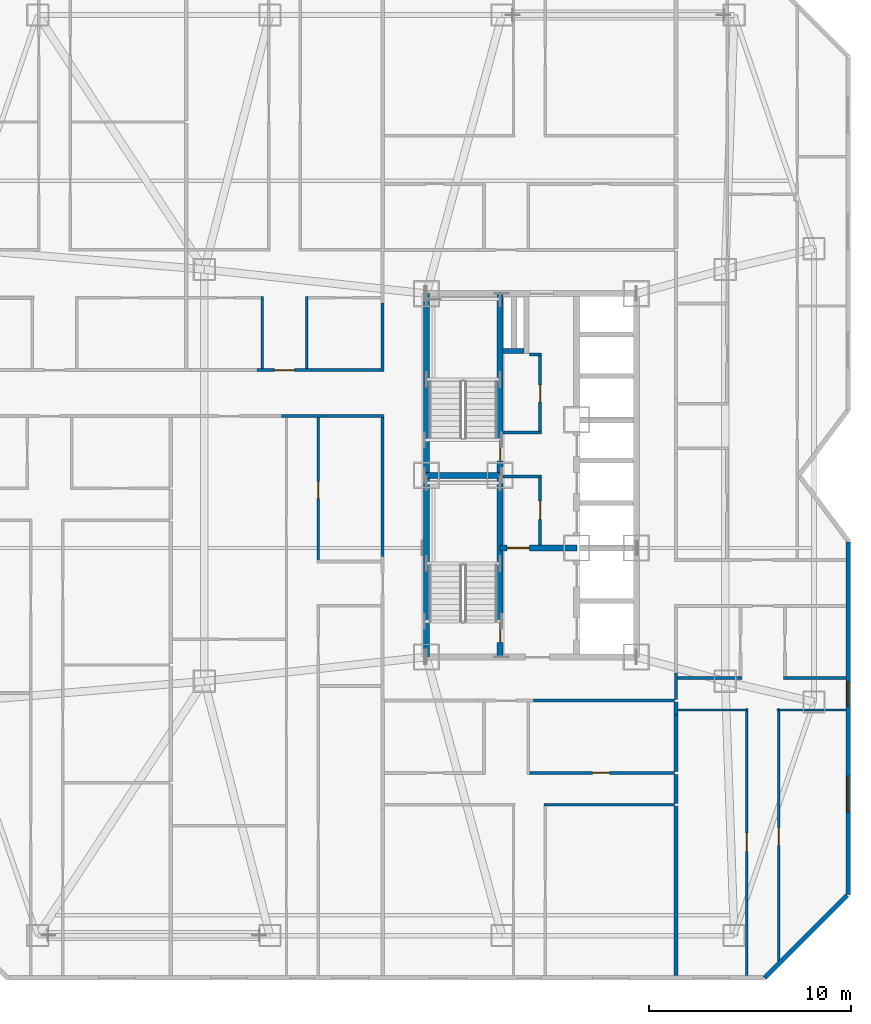
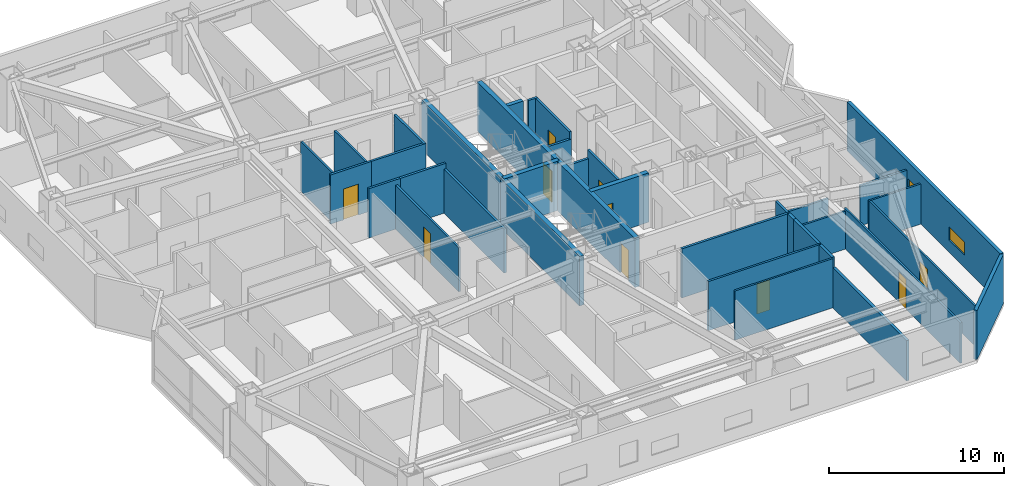
# One storey, part 13 of 18: 37 walls, 10 doors, 2 windows, 12 openings.
"""IFC4 building model written with IfcOpenShell, lengths in metres."""

import ifcopenshell
import ifcopenshell.guid

model = None  # the IFC model being written
_history = None  # IfcOwnerHistory: only IFC2X3 demands one
_inside = {}  # id of a spatial element -> (the spatial element, [elements in it])
_under = {}  # id of a project, library or spatial element -> (it, [spatial elements below it])
_declared = {}  # id of a project -> (the project, [libraries it declares])
_typed = {}  # id of a type object -> (the type object, [elements of that type])
_made_of = {}  # id of a material, layer set ... -> (it, [elements and type objects made of it])


def new_model(schema):
    """Start an empty IFC model of exactly this schema.

    Asked for "IFC4X3", IfcOpenShell would pick the latest addendum, in which some entities
    have other attributes; the version numbers below select the first issue.
    IFC2X3 requires an IfcOwnerHistory on every rooted entity: one is made here for all.
    """
    global model, _history
    if schema == "IFC4X3":
        model = ifcopenshell.file(schema_version=(4, 3, 0, 0))
    else:
        model = ifcopenshell.file(schema=schema)
    _inside.clear()
    _under.clear()
    _declared.clear()
    _typed.clear()
    _made_of.clear()
    _history = None
    if model.schema == "IFC2X3":
        org = make("IfcOrganization", Name="unknown")
        user = make(
            "IfcPersonAndOrganization",
            ThePerson=make("IfcPerson", FamilyName="unknown"),
            TheOrganization=org,
        )
        app = make(
            "IfcApplication",
            ApplicationDeveloper=org,
            Version="unknown",
            ApplicationFullName="unknown",
            ApplicationIdentifier="unknown",
        )
        _history = make(
            "IfcOwnerHistory",
            OwningUser=user,
            OwningApplication=app,
            ChangeAction="ADDED",
            CreationDate=0,
        )
    return model


def make(cls, **values):
    """One entity of the class cls with the attributes given. An attribute that is None is left unset."""
    return model.create_entity(
        cls, **{name: value for name, value in values.items() if value is not None}
    )


def rooted(cls, **values):
    """An entity with a GlobalId (a new one), such as an element, a storey or a relation."""
    return make(cls, GlobalId=ifcopenshell.guid.new(), OwnerHistory=_history, **values)


def si_unit(unit_type, name, prefix=None):
    """IfcSIUnit, for example si_unit("LENGTHUNIT", "METRE", prefix="MILLI")."""
    return make("IfcSIUnit", UnitType=unit_type, Prefix=prefix, Name=name)


def assignment(units):
    """IfcUnitAssignment: the units of a project."""
    return None if units is None else make("IfcUnitAssignment", Units=units)


def point(xyz):
    """IfcCartesianPoint."""
    return None if xyz is None else make("IfcCartesianPoint", Coordinates=xyz)


def direction(xyz):
    """IfcDirection."""
    return None if xyz is None else make("IfcDirection", DirectionRatios=xyz)


def frame(location, z_axis=None, x_axis=None):
    """IfcAxis2Placement3D, a coordinate frame: its origin and axes. An axis left out is left unset."""
    return make(
        "IfcAxis2Placement3D",
        Location=point(location),
        Axis=direction(z_axis),
        RefDirection=direction(x_axis),
    )


def frame_2d(location, x_axis=None):
    """IfcAxis2Placement2D, a coordinate frame in the plane: its origin and x axis."""
    return make(
        "IfcAxis2Placement2D", Location=point(location), RefDirection=direction(x_axis)
    )


def origin():
    """The frame at (0, 0, 0) with its axes left unset."""
    return frame((0.0, 0.0, 0.0))


def place(relative_to, where):
    """IfcLocalPlacement: puts the frame where relative to a parent placement (None: the world)."""
    return make(
        "IfcLocalPlacement", PlacementRelTo=relative_to, RelativePlacement=where
    )


def context(
    kind, dimensions, precision=None, world=None, true_north=None, identifier=None
):
    """IfcGeometricRepresentationContext, for example the 3D "Model" context."""
    return make(
        "IfcGeometricRepresentationContext",
        ContextIdentifier=identifier,
        ContextType=kind,
        CoordinateSpaceDimension=dimensions,
        Precision=precision,
        WorldCoordinateSystem=world,
        TrueNorth=true_north,
    )


def subcontext(parent, identifier, kind, view, scale=None):
    """IfcGeometricRepresentationSubContext, for example "Body" below "Model"."""
    return make(
        "IfcGeometricRepresentationSubContext",
        ContextIdentifier=identifier,
        ContextType=kind,
        ParentContext=parent,
        TargetScale=scale,
        TargetView=view,
    )


def project(units=None, contexts=None):
    """IfcProject with its units and contexts."""
    return rooted(
        "IfcProject",
        Name="project",
        RepresentationContexts=contexts,
        UnitsInContext=assignment(units),
    )


def spatial(cls, under=None, at=None, **own):
    """A site, building, storey or space (cls), placed at a placement, below another one or the project."""
    s = rooted(cls, ObjectPlacement=at, **own)
    if under is not None:
        _under.setdefault(under.id(), (under, []))[1].append(s)
    return s


def profile(cls, at=None, kind="AREA", **sizes):
    """A parametric profile (cls). Its sizes go by their IFC names, for example OverallWidth=200.0."""
    return make(cls, ProfileType=kind, Position=at, **sizes)


def rectangle(**sizes):
    """IfcRectangleProfileDef."""
    return profile("IfcRectangleProfileDef", **sizes)


def extrude(swept, where, along, depth):
    """IfcExtrudedAreaSolid: the profile swept, set in the frame where, extruded along a direction by depth."""
    return make(
        "IfcExtrudedAreaSolid",
        SweptArea=swept,
        Position=where,
        ExtrudedDirection=direction(along),
        Depth=depth,
    )


def shape(context_of_items, identifier, shape_type, items):
    """IfcShapeRepresentation: the items that make up one representation, for example the "Body"."""
    return make(
        "IfcShapeRepresentation",
        ContextOfItems=context_of_items,
        RepresentationIdentifier=identifier,
        RepresentationType=shape_type,
        Items=items,
    )


def material(Name=None, Category=None):
    """IfcMaterial."""
    return make("IfcMaterial", Name=Name, Category=Category)


def layer(
    of_material, thickness, ventilated=None, Name=None, Category=None, Priority=None
):
    """IfcMaterialLayer: one layer of a wall or slab, of a material (None: an air gap)."""
    return make(
        "IfcMaterialLayer",
        Material=of_material,
        LayerThickness=thickness,
        IsVentilated=ventilated,
        Name=Name,
        Category=Category,
        Priority=Priority,
    )


def layer_set(layers, Name=None):
    """IfcMaterialLayerSet."""
    return make("IfcMaterialLayerSet", MaterialLayers=layers, LayerSetName=Name)


def made_of(thing, what):
    """Note that an element or type object is made of a material, layer set ...; save() writes the relation."""
    if what is not None:
        _made_of.setdefault(what.id(), (what, []))[1].append(thing)
    return thing


def type_object(cls, material=None, **own):
    """A type object (cls), such as IfcWallType, which elements share."""
    return made_of(rooted(cls, **own), material)


def element(
    cls,
    number,
    at=None,
    inside=None,
    cuts=None,
    type_object=None,
    material=None,
    context=None,
    identifier="Body",
    shape_type=None,
    held_by="IfcProductDefinitionShape",
    body=None,
    shapes=None,
    **own,
):
    """One element of the class cls, such as IfcWall. Its Tag is "e" and its number.

    at: its placement. inside: the storey or other place that contains it. cuts: it is an
    opening in that element (IfcRelVoidsElement). A single representation is given by context,
    identifier, shape_type and body (its items); several are given by shapes. held_by: the class
    of the entity that holds the representations. save() writes the other relations.
    """
    e = rooted(cls, Tag="e%d" % number, ObjectPlacement=at, **own)
    if body is not None:
        shapes = [shape(context, identifier, shape_type, body)]
    if shapes is not None:
        e.Representation = make(held_by, Representations=shapes)
    if inside is not None:
        _inside.setdefault(inside.id(), (inside, []))[1].append(e)
    if cuts is not None:
        rooted(
            "IfcRelVoidsElement", RelatingBuildingElement=cuts, RelatedOpeningElement=e
        )
    if type_object is not None:
        _typed.setdefault(type_object.id(), (type_object, []))[1].append(e)
    return made_of(e, material)


def fill(opening, filler):
    """IfcRelFillsElement: the door or window that sits in an opening."""
    return rooted(
        "IfcRelFillsElement",
        RelatingOpeningElement=opening,
        RelatedBuildingElement=filler,
    )


def aggregate(whole, parts):
    """IfcRelAggregates: a whole, such as a stair, and the parts it consists of."""
    return rooted("IfcRelAggregates", RelatingObject=whole, RelatedObjects=parts)


def save(model, path):
    """Write the relations noted so far, then the file.

    IfcRelAggregates (storeys below a building ...), IfcRelContainedInSpatialStructure (elements
    in a storey), IfcRelDefinesByType, IfcRelAssociatesMaterial and IfcRelDeclares: one each for
    every whole, place, type object, material and project.
    """
    for whole, parts in _under.values():
        aggregate(whole, parts)
    for where, things in _inside.values():
        rooted(
            "IfcRelContainedInSpatialStructure",
            RelatedElements=things,
            RelatingStructure=where,
        )
    for kind, things in _typed.values():
        rooted("IfcRelDefinesByType", RelatedObjects=things, RelatingType=kind)
    for what, things in _made_of.values():
        rooted("IfcRelAssociatesMaterial", RelatedObjects=things, RelatingMaterial=what)
    for by, libraries in _declared.values():
        rooted("IfcRelDeclares", RelatingContext=by, RelatedDefinitions=libraries)
    model.write(path)


model = new_model("IFC4")

# Units and contexts
model_context = context("Model", 3, precision=1e-05, world=origin(), true_north=direction((0.0, 1.0)))
body_context = subcontext(model_context, "Body", "Model", "MODEL_VIEW")
ifc_project = project(units=[si_unit("LENGTHUNIT", "METRE"), si_unit("AREAUNIT", "SQUARE_METRE"), si_unit("VOLUMEUNIT", "CUBIC_METRE"), si_unit("PLANEANGLEUNIT", "RADIAN"), si_unit("MASSUNIT", "GRAM", prefix="KILO")], contexts=[model_context])

# Site, building, storey
site_placement = place(None, origin())
site = spatial("IfcSite", under=ifc_project, at=site_placement, CompositionType="ELEMENT")
building_placement = place(site_placement, origin())
building = spatial("IfcBuilding", under=site, at=building_placement, Name="Khamvora Tower", CompositionType="ELEMENT")
storey_placement = place(building_placement, frame((0.0, 0.0, 47.89990234375)))
storey = spatial("IfcBuildingStorey", under=building, at=storey_placement, Name="L11", CompositionType="ELEMENT", Elevation=47.89990234375)

# Walls
ifc_material_1 = material(Name="Concrete C50/60", Category="concrete")
ifc_layer_1 = layer(ifc_material_1, 0.300048828125)
ifc_layer_set_1 = layer_set([ifc_layer_1], Name="Concrete C50/60")
wall_type_1 = type_object("IfcWallType", Name="WAL-CORE-300", PredefinedType="SHEAR", material=ifc_layer_set_1)
for number, where, z_axis, x_axis, name in (
    (1, (29.0, 19.0, 0.0), (0.0, 0.0, 1.0), (0.0, 1.0, 0.0), "L11 central core west south wall"),
    (2, (29.0, 28.0, 0.0), (0.0, 0.0, 1.0), (0.0, 1.0, 0.0), "L11 central core west north wall"),
):
    element("IfcWall", number, at=place(storey_placement, frame(where, z_axis=z_axis, x_axis=x_axis)), inside=storey, type_object=wall_type_1, Name=name, PredefinedType="SHEAR", context=body_context, shape_type="SweptSolid", body=[
        extrude(rectangle(XDim=9.0, YDim=0.300048828125, at=frame_2d((4.5, 0.0))), origin(), (0.0, 0.0, 1.0), 3.43017578125),
    ])

# Wall, opening, door
wall_1_placement = place(storey_placement, frame((32.64990234375, 19.0, 0.0), z_axis=(0.0, 0.0, 1.0), x_axis=(0.0, 1.0, 0.0)))
wall_1 = element("IfcWall", 3, at=wall_1_placement, inside=storey, type_object=wall_type_1, Name="L11 central core stair south spine wall", PredefinedType="SHEAR", context=body_context, shape_type="SweptSolid", body=[
    extrude(rectangle(XDim=9.0, YDim=0.300048828125, at=frame_2d((4.5, 0.0))), origin(), (0.0, 0.0, 1.0), 3.43017578125),
])
opening_1_placement = place(wall_1_placement, frame((0.719970703125, 0.0, 0.0)))
opening_1 = element("IfcOpeningElement", 4, at=opening_1_placement, cuts=wall_1, Name="Opening D-ST1", PredefinedType="OPENING", context=body_context, shape_type="SweptSolid", body=[
    extrude(rectangle(XDim=1.0, YDim=2.14990234375, at=frame_2d((0.5, 1.074951171875))), frame((0.0, 0.159912109375, 0.0), z_axis=(0.0, -1.0, 0.0), x_axis=(1.0, 0.0, 0.0)), (0.0, 0.0, 1.0), 0.320068359375),
])
ifc_material_2 = material(Name="Powder-Coated Steel and Hardwood Leaf", Category="steel")
door_type_1 = type_object("IfcDoorType", Name="DOR-STAIR-1000", OperationType="NOTDEFINED", PredefinedType="DOOR", material=ifc_material_2)
door_1_placement = place(opening_1_placement, origin())
door_1 = element("IfcDoor", 5, at=door_1_placement, inside=storey, type_object=door_type_1, Name="L11 exit stair ST-01 fire door", OperationType="SINGLE_SWING_RIGHT", OverallHeight=2.14990234375, OverallWidth=1.0, PredefinedType="DOOR", context=body_context, shape_type="SweptSolid", body=[
    extrude(rectangle(XDim=1.0, YDim=2.14990234375, at=frame_2d((0.5, 1.074951171875))), frame((0.0, 0.02490234375, 0.0), z_axis=(0.0, -1.0, 0.0), x_axis=(1.0, 0.0, 0.0)), (0.0, 0.0, 1.0), 0.050048828125),
])
fill(opening_1, door_1)

wall_2_placement = place(storey_placement, frame((32.64990234375, 28.0, 0.0), z_axis=(0.0, 0.0, 1.0), x_axis=(0.0, 1.0, 0.0)))
wall_2 = element("IfcWall", 6, at=wall_2_placement, inside=storey, type_object=wall_type_1, Name="L11 central core stair north spine wall", PredefinedType="SHEAR", context=body_context, shape_type="SweptSolid", body=[
    extrude(rectangle(XDim=9.0, YDim=0.300048828125, at=frame_2d((4.5, 0.0))), origin(), (0.0, 0.0, 1.0), 3.43017578125),
])
opening_2_placement = place(wall_2_placement, frame((0.719970703125, 0.0, 0.0)))
opening_2 = element("IfcOpeningElement", 7, at=opening_2_placement, cuts=wall_2, Name="Opening D-ST1", PredefinedType="OPENING", context=body_context, shape_type="SweptSolid", body=[
    extrude(rectangle(XDim=1.0, YDim=2.14990234375, at=frame_2d((0.5, 1.074951171875))), frame((0.0, 0.159912109375, 0.0), z_axis=(0.0, -1.0, 0.0), x_axis=(1.0, 0.0, 0.0)), (0.0, 0.0, 1.0), 0.320068359375),
])
door_2_placement = place(opening_2_placement, origin())
door_2 = element("IfcDoor", 8, at=door_2_placement, inside=storey, type_object=door_type_1, Name="L11 exit stair ST-02 fire door", OperationType="SINGLE_SWING_RIGHT", OverallHeight=2.14990234375, OverallWidth=1.0, PredefinedType="DOOR", context=body_context, shape_type="SweptSolid", body=[
    extrude(rectangle(XDim=1.0, YDim=2.14990234375, at=frame_2d((0.5, 1.074951171875))), frame((0.0, 0.02490234375, 0.0), z_axis=(0.0, -1.0, 0.0), x_axis=(1.0, 0.0, 0.0)), (0.0, 0.0, 1.0), 0.050048828125),
])
fill(opening_2, door_2)

# Wall
wall_3_placement = place(storey_placement, frame((29.0, 28.0, 0.0), z_axis=(0.0, 0.0, 1.0), x_axis=(1.0, 0.0, 0.0)))
element("IfcWall", 9, at=wall_3_placement, inside=storey, type_object=wall_type_1, Name="L11 central core stair cross wall", PredefinedType="SHEAR", context=body_context, shape_type="SweptSolid", body=[
    extrude(rectangle(XDim=3.64990234375, YDim=0.300048828125, at=frame_2d((1.824951171875, 0.0))), origin(), (0.0, 0.0, 1.0), 3.43017578125),
])

# Wall, opening, door
wall_4_placement = place(storey_placement, frame((32.64990234375, 24.39990234375, 0.0), z_axis=(0.0, 0.0, 1.0), x_axis=(1.0, 0.0, 0.0)))
wall_4 = element("IfcWall", 10, at=wall_4_placement, inside=storey, type_object=wall_type_1, Name="L11 central core firefighting lobby north wall", PredefinedType="SHEAR", context=body_context, shape_type="SweptSolid", body=[
    extrude(rectangle(XDim=3.800048828125, YDim=0.300048828125, at=frame_2d((1.89990234375, 0.0))), origin(), (0.0, 0.0, 1.0), 3.43017578125),
])
opening_3_placement = place(wall_4_placement, frame((0.35009765625, 0.0, 0.0)))
opening_3 = element("IfcOpeningElement", 11, at=opening_3_placement, cuts=wall_4, Name="Opening D-FF1", PredefinedType="OPENING", context=body_context, shape_type="SweptSolid", body=[
    extrude(rectangle(XDim=1.10009765625, YDim=2.14990234375, at=frame_2d((0.550048828125, 1.074951171875))), frame((0.0, 0.159912109375, 0.0), z_axis=(0.0, -1.0, 0.0), x_axis=(1.0, 0.0, 0.0)), (0.0, 0.0, 1.0), 0.320068359375),
])
door_type_2 = type_object("IfcDoorType", Name="DOR-FFLOB-1100", OperationType="NOTDEFINED", PredefinedType="DOOR", material=ifc_material_2)
door_3_placement = place(opening_3_placement, origin())
door_3 = element("IfcDoor", 12, at=door_3_placement, inside=storey, type_object=door_type_2, Name="L11 firefighting lobby smoke-seal fire door", OperationType="SINGLE_SWING_LEFT", OverallHeight=2.14990234375, OverallWidth=1.10009765625, PredefinedType="DOOR", context=body_context, shape_type="SweptSolid", body=[
    extrude(rectangle(XDim=1.10009765625, YDim=2.14990234375, at=frame_2d((0.550048828125, 1.074951171875))), frame((0.0, 0.02490234375, 0.0), z_axis=(0.0, -1.0, 0.0), x_axis=(1.0, 0.0, 0.0)), (0.0, 0.0, 1.0), 0.050048828125),
])
fill(opening_3, door_3)

# Wall
ifc_material_3 = material(Name="Fire-Rated Drywall and Steel Stud", Category="steel")
ifc_layer_2 = layer(ifc_material_3, 0.14990234375)
ifc_layer_set_2 = layer_set([ifc_layer_2], Name="Fire-Rated Drywall and Steel Stud")
wall_type_2 = type_object("IfcWallType", Name="WAL-CORR-150", PredefinedType="STANDARD", material=ifc_layer_set_2)
wall_5_placement = place(storey_placement, frame((32.7939453125, 30.114990234375, 0.0), z_axis=(0.0, 0.0, 1.0), x_axis=(1.0, 0.0, 0.0)))
element("IfcWall", 13, at=wall_5_placement, inside=storey, type_object=wall_type_2, Name="L11 interior partition wall 001", PredefinedType="STANDARD", context=body_context, shape_type="SweptSolid", body=[
    extrude(rectangle(XDim=1.906005859375, YDim=0.14990234375, at=frame_2d((0.953125, 0.0))), origin(), (0.0, 0.0, 1.0), 2.88720703125),
])

# Wall, opening, door
wall_6_placement = place(storey_placement, frame((34.635009765625, 30.052001953125, 0.0), z_axis=(0.0, 0.0, 1.0), x_axis=(0.0, 1.0, 0.0)))
wall_6 = element("IfcWall", 14, at=wall_6_placement, inside=storey, type_object=wall_type_2, Name="L11 interior partition wall 002", PredefinedType="STANDARD", context=body_context, shape_type="SweptSolid", body=[
    extrude(rectangle(XDim=3.988037109375, YDim=0.14990234375, at=frame_2d((1.994140625, 0.0))), origin(), (0.0, 0.0, 1.0), 3.43017578125),
])
opening_4_placement = place(wall_6_placement, frame((1.569091796875, 0.0, 0.0)))
opening_4 = element("IfcOpeningElement", 15, at=opening_4_placement, cuts=wall_6, Name="Opening D-WC1", PredefinedType="OPENING", context=body_context, shape_type="SweptSolid", body=[
    extrude(rectangle(XDim=0.85009765625, YDim=2.10009765625, at=frame_2d((0.425048828125, 1.050048828125))), frame((0.0, 0.0849609375, 0.0), z_axis=(0.0, -1.0, 0.0), x_axis=(1.0, 0.0, 0.0)), (0.0, 0.0, 1.0), 0.169921875),
])
door_type_3 = type_object("IfcDoorType", Name="DOR-WET-850", OperationType="NOTDEFINED", PredefinedType="DOOR", material=ifc_material_2)
door_4_placement = place(opening_4_placement, origin())
door_4 = element("IfcDoor", 16, at=door_4_placement, inside=storey, type_object=door_type_3, Name="L11 interior door PLL-CS1", OperationType="SINGLE_SWING_RIGHT", OverallHeight=2.10009765625, OverallWidth=0.85009765625, PredefinedType="DOOR", context=body_context, shape_type="SweptSolid", body=[
    extrude(rectangle(XDim=0.85009765625, YDim=2.10009765625, at=frame_2d((0.425048828125, 1.050048828125))), frame((0.0, 0.02490234375, 0.0), z_axis=(0.0, -1.0, 0.0), x_axis=(1.0, 0.0, 0.0)), (0.0, 0.0, 1.0), 0.050048828125),
])
fill(opening_4, door_4)

# Wall
wall_7_placement = place(storey_placement, frame((34.699951171875, 33.97509765625, 0.0), z_axis=(0.0, 0.0, 1.0), x_axis=(-1.0, 0.0, 0.0)))
element("IfcWall", 17, at=wall_7_placement, inside=storey, type_object=wall_type_2, Name="L11 interior partition wall 003", PredefinedType="STANDARD", context=body_context, shape_type="SweptSolid", body=[
    extrude(rectangle(XDim=0.599853515625, YDim=0.14990234375, at=frame_2d((0.2998046875, 0.0))), origin(), (0.0, 0.0, 1.0), 3.43017578125),
])

# Wall, opening, door
wall_8_placement = place(storey_placement, frame((34.635009765625, 24.5439453125, 0.0), z_axis=(0.0, 0.0, 1.0), x_axis=(0.0, 1.0, 0.0)))
wall_8 = element("IfcWall", 18, at=wall_8_placement, inside=storey, type_object=wall_type_2, Name="L11 interior partition wall 004", PredefinedType="STANDARD", context=body_context, shape_type="SweptSolid", body=[
    extrude(rectangle(XDim=3.4560546875, YDim=0.14990234375, at=frame_2d((1.72802734375, 0.0))), origin(), (0.0, 0.0, 1.0), 3.43017578125),
])
opening_5_placement = place(wall_8_placement, frame((1.278076171875, 0.0, 0.0)))
opening_5 = element("IfcOpeningElement", 19, at=opening_5_placement, cuts=wall_8, Name="Opening D-RM1", PredefinedType="OPENING", context=body_context, shape_type="SweptSolid", body=[
    extrude(rectangle(XDim=0.89990234375, YDim=2.10009765625, at=frame_2d((0.449951171875, 1.050048828125))), frame((0.0, 0.0849609375, 0.0), z_axis=(0.0, -1.0, 0.0), x_axis=(1.0, 0.0, 0.0)), (0.0, 0.0, 1.0), 0.169921875),
])
door_type_4 = type_object("IfcDoorType", Name="DOR-ROOM-900", OperationType="NOTDEFINED", PredefinedType="DOOR", material=ifc_material_2)
door_5_placement = place(opening_5_placement, origin())
door_5 = element("IfcDoor", 20, at=door_5_placement, inside=storey, type_object=door_type_4, Name="L11 interior door PLL-CS2", OperationType="SINGLE_SWING_LEFT", OverallHeight=2.10009765625, OverallWidth=0.89990234375, PredefinedType="DOOR", context=body_context, shape_type="SweptSolid", body=[
    extrude(rectangle(XDim=0.89990234375, YDim=2.10009765625, at=frame_2d((0.449951171875, 1.050048828125))), frame((0.0, 0.02490234375, 0.0), z_axis=(0.0, -1.0, 0.0), x_axis=(1.0, 0.0, 0.0)), (0.0, 0.0, 1.0), 0.050048828125),
])
fill(opening_5, door_5)

# Walls
wall_9_placement = place(storey_placement, frame((34.699951171875, 27.93505859375, 0.0), z_axis=(0.0, 0.0, 1.0), x_axis=(-1.0, 0.0, 0.0)))
element("IfcWall", 21, at=wall_9_placement, inside=storey, type_object=wall_type_2, Name="L11 interior partition wall 005", PredefinedType="STANDARD", context=body_context, shape_type="SweptSolid", body=[
    extrude(rectangle(XDim=1.906005859375, YDim=0.14990234375, at=frame_2d((0.953125, 0.0))), origin(), (0.0, 0.0, 1.0), 2.88720703125),
])
wall_10_placement = place(storey_placement, frame((23.89990234375, 30.93505859375, 0.0), z_axis=(0.0, 0.0, 1.0), x_axis=(-1.0, 0.0, 0.0)))
element("IfcWall", 22, at=wall_10_placement, inside=storey, type_object=wall_type_2, Name="L11 interior partition wall 011", PredefinedType="STANDARD", context=body_context, shape_type="SweptSolid", body=[
    extrude(rectangle(XDim=2.078857421875, YDim=0.14990234375, at=frame_2d((1.03955078125, 0.0))), origin(), (0.0, 0.0, 1.0), 3.43017578125),
])
wall_11_placement = place(storey_placement, frame((26.8349609375, 23.98291015625, 0.0), z_axis=(0.0, 0.0, 1.0), x_axis=(0.0, 1.0, 0.0)))
element("IfcWall", 23, at=wall_11_placement, inside=storey, type_object=wall_type_2, Name="L11 interior partition wall 013", PredefinedType="STANDARD", context=body_context, shape_type="SweptSolid", body=[
    extrude(rectangle(XDim=7.01708984375, YDim=0.14990234375, at=frame_2d((3.508544921875, 0.0))), origin(), (0.0, 0.0, 1.0), 3.065185546875),
])
wall_12_placement = place(storey_placement, frame((26.89794921875, 30.93505859375, 0.0), z_axis=(0.0, 0.0, 1.0), x_axis=(-1.0, 0.0, 0.0)))
element("IfcWall", 24, at=wall_12_placement, inside=storey, type_object=wall_type_2, Name="L11 interior partition wall 014", PredefinedType="STANDARD", context=body_context, shape_type="SweptSolid", body=[
    extrude(rectangle(XDim=2.998046875, YDim=0.14990234375, at=frame_2d((1.4990234375, 0.0))), origin(), (0.0, 0.0, 1.0), 3.43017578125),
])

# Wall, opening, door
wall_13_placement = place(storey_placement, frame((20.62109375, 33.215087890625, 0.0), z_axis=(0.0, 0.0, 1.0), x_axis=(1.0, 0.0, 0.0)))
wall_13 = element("IfcWall", 25, at=wall_13_placement, inside=storey, type_object=wall_type_2, Name="L11 interior partition wall 020", PredefinedType="STANDARD", context=body_context, shape_type="SweptSolid", body=[
    extrude(rectangle(XDim=2.697998046875, YDim=0.14990234375, at=frame_2d((1.34912109375, 0.0))), origin(), (0.0, 0.0, 1.0), 3.43017578125),
])
opening_6_placement = place(wall_13_placement, frame((0.84912109375, 0.0, 0.0)))
opening_6 = element("IfcOpeningElement", 26, at=opening_6_placement, cuts=wall_13, Name="Opening D-U1", PredefinedType="OPENING", context=body_context, shape_type="SweptSolid", body=[
    extrude(rectangle(XDim=1.0, YDim=2.14990234375, at=frame_2d((0.5, 1.074951171875))), frame((0.0, 0.0849609375, 0.0), z_axis=(0.0, -1.0, 0.0), x_axis=(1.0, 0.0, 0.0)), (0.0, 0.0, 1.0), 0.169921875),
])
door_type_5 = type_object("IfcDoorType", Name="DOR-UNIT-1000", OperationType="NOTDEFINED", PredefinedType="DOOR", material=ifc_material_2)
door_6_placement = place(opening_6_placement, origin())
door_6 = element("IfcDoor", 27, at=door_6_placement, inside=storey, type_object=door_type_5, Name="L11 interior door COR-11WCH", OperationType="SINGLE_SWING_RIGHT", OverallHeight=2.14990234375, OverallWidth=1.0, PredefinedType="DOOR", context=body_context, shape_type="SweptSolid", body=[
    extrude(rectangle(XDim=1.0, YDim=2.14990234375, at=frame_2d((0.5, 1.074951171875))), frame((0.0, 0.02490234375, 0.0), z_axis=(0.0, -1.0, 0.0), x_axis=(1.0, 0.0, 0.0)), (0.0, 0.0, 1.0), 0.050048828125),
])
fill(opening_6, door_6)

# Walls
wall_14_placement = place(storey_placement, frame((26.8349609375, 33.14990234375, 0.0), z_axis=(0.0, 0.0, 1.0), x_axis=(0.0, 1.0, 0.0)))
element("IfcWall", 28, at=wall_14_placement, inside=storey, type_object=wall_type_2, Name="L11 interior partition wall 022", PredefinedType="STANDARD", context=body_context, shape_type="SweptSolid", body=[
    extrude(rectangle(XDim=3.39599609375, YDim=0.14990234375, at=frame_2d((1.697998046875, 0.0))), origin(), (0.0, 0.0, 1.0), 3.43017578125),
])
wall_15_placement = place(storey_placement, frame((23.319091796875, 33.215087890625, 0.0), z_axis=(0.0, 0.0, 1.0), x_axis=(1.0, 0.0, 0.0)))
element("IfcWall", 29, at=wall_15_placement, inside=storey, type_object=wall_type_2, Name="L11 interior partition wall 023", PredefinedType="STANDARD", context=body_context, shape_type="SweptSolid", body=[
    extrude(rectangle(XDim=3.578857421875, YDim=0.14990234375, at=frame_2d((1.78955078125, 0.0))), origin(), (0.0, 0.0, 1.0), 3.43017578125),
])
wall_16_placement = place(storey_placement, frame((41.300048828125, 16.8349609375, 0.0), z_axis=(0.0, 0.0, 1.0), x_axis=(-1.0, 0.0, 0.0)))
element("IfcWall", 30, at=wall_16_placement, inside=storey, type_object=wall_type_2, Name="L11 interior partition wall 026", PredefinedType="STANDARD", context=body_context, shape_type="SweptSolid", body=[
    extrude(rectangle(XDim=7.0009765625, YDim=0.14990234375, at=frame_2d((3.50048828125, 0.0))), origin(), (0.0, 0.0, 1.0), 3.43017578125),
])
wall_17_placement = place(storey_placement, frame((41.364990234375, 18.2041015625, 0.0), z_axis=(0.0, 0.0, 1.0), x_axis=(0.0, -1.0, 0.0)))
element("IfcWall", 31, at=wall_17_placement, inside=storey, type_object=wall_type_2, Name="L11 interior partition wall 031", PredefinedType="STANDARD", context=body_context, shape_type="SweptSolid", body=[
    extrude(rectangle(XDim=1.30419921875, YDim=0.14990234375, at=frame_2d((0.652099609375, 0.0))), origin(), (0.0, 0.0, 1.0), 3.43017578125),
])
ifc_material_4 = material(Name="Acoustic Double-Stud Fire Wall", Category="gypsum")
ifc_layer_3 = layer(ifc_material_4, 0.179931640625)
ifc_layer_set_3 = layer_set([ifc_layer_3], Name="Acoustic Double-Stud Fire Wall")
wall_type_3 = type_object("IfcWallType", Name="WAL-CORR-180", PredefinedType="STANDARD", material=ifc_layer_set_3)
wall_18_placement = place(storey_placement, frame((41.364990234375, 13.18994140625, 0.0), z_axis=(0.0, 0.0, 1.0), x_axis=(0.0, -1.0, 0.0)))
element("IfcWall", 32, at=wall_18_placement, inside=storey, type_object=wall_type_3, Name="L11 interior partition wall 112", PredefinedType="STANDARD", context=body_context, shape_type="SweptSolid", body=[
    extrude(rectangle(XDim=1.449951171875, YDim=0.179931640625, at=frame_2d((0.72509765625, 0.0))), origin(), (0.0, 0.0, 1.0), 3.43017578125),
])
wall_19_placement = place(storey_placement, frame((41.364990234375, 16.77001953125, 0.0), z_axis=(0.0, 0.0, 1.0), x_axis=(0.0, -1.0, 0.0)))
element("IfcWall", 33, at=wall_19_placement, inside=storey, type_object=wall_type_3, Name="L11 interior partition wall 113", PredefinedType="STANDARD", context=body_context, shape_type="SweptSolid", body=[
    extrude(rectangle(XDim=0.64404296875, YDim=0.179931640625, at=frame_2d((0.322021484375, 0.0))), origin(), (0.0, 0.0, 1.0), 3.43017578125),
])
wall_20_placement = place(storey_placement, frame((41.364990234375, 16.1259765625, 0.0), z_axis=(0.0, 0.0, 1.0), x_axis=(0.0, -1.0, 0.0)))
element("IfcWall", 34, at=wall_20_placement, inside=storey, type_object=wall_type_3, Name="L11 interior partition wall 114", PredefinedType="STANDARD", context=body_context, shape_type="SweptSolid", body=[
    extrude(rectangle(XDim=2.805908203125, YDim=0.179931640625, at=frame_2d((1.40283203125, 0.0))), origin(), (0.0, 0.0, 1.0), 3.43017578125),
])
wall_21_placement = place(storey_placement, frame((41.364990234375, 11.610107421875, 0.0), z_axis=(0.0, 0.0, 1.0), x_axis=(0.0, -1.0, 0.0)))
element("IfcWall", 35, at=wall_21_placement, inside=storey, type_object=wall_type_3, Name="L11 interior partition wall 115", PredefinedType="STANDARD", context=body_context, shape_type="SweptSolid", body=[
    extrude(rectangle(XDim=8.398193359375, YDim=0.179931640625, at=frame_2d((4.19921875, 0.0))), origin(), (0.0, 0.0, 1.0), 2.802978515625),
])

# Wall, openings, windows
ifc_material_5 = material(Name="Precast concrete C40/50", Category="concrete")
ifc_layer_4 = layer(ifc_material_5, 0.219970703125)
ifc_layer_set_4 = layer_set([ifc_layer_4], Name="Precast concrete C40/50")
wall_type_4 = type_object("IfcWallType", Name="WAL-EXT-220", PredefinedType="STANDARD", material=ifc_layer_set_4)
wall_22_placement = place(storey_placement, frame((49.889892578125, 24.70703125, 0.0), z_axis=(0.0, 0.0, 1.0), x_axis=(0.0, -1.0, 0.0)))
wall_22 = element("IfcWall", 36, at=wall_22_placement, inside=storey, type_object=wall_type_4, Name="L11 exterior facade wall 12.1", PredefinedType="STANDARD", context=body_context, shape_type="SweptSolid", body=[
    extrude(rectangle(XDim=17.4609375, YDim=0.219970703125, at=frame_2d((8.73046875, 0.0))), origin(), (0.0, 0.0, 1.0), 3.43017578125),
])
opening_7_placement = place(wall_22_placement, frame((6.94189453125, 0.0, 0.780029296875)))
opening_7 = element("IfcOpeningElement", 37, at=opening_7_placement, cuts=wall_22, Name="Opening WN-03", PredefinedType="OPENING", context=body_context, shape_type="SweptSolid", body=[
    extrude(rectangle(XDim=1.199951171875, YDim=1.5, at=frame_2d((0.60009765625, 0.75))), frame((0.0, 0.119873046875, 0.0), z_axis=(0.0, -1.0, 0.0), x_axis=(1.0, 0.0, 0.0)), (0.0, 0.0, 1.0), 0.239990234375),
])
opening_8_placement = place(wall_22_placement, frame((11.60400390625, 0.0, 0.85009765625)))
opening_8 = element("IfcOpeningElement", 38, at=opening_8_placement, cuts=wall_22, Name="Opening WN-09", PredefinedType="OPENING", context=body_context, shape_type="SweptSolid", body=[
    extrude(rectangle(XDim=1.800048828125, YDim=0.919921875, at=frame_2d((0.89990234375, 0.4599609375))), frame((0.0, 0.119873046875, 0.0), z_axis=(0.0, -1.0, 0.0), x_axis=(1.0, 0.0, 0.0)), (0.0, 0.0, 1.0), 0.239990234375),
])
ifc_material_6 = material(Name="Low-E Laminated Double Glazing", Category="glass")
window_type_1 = type_object("IfcWindowType", Name="WIN-CLR-1800x920", PartitioningType="SINGLE_PANEL", PredefinedType="WINDOW", material=ifc_material_6)
window_1_placement = place(opening_8_placement, origin())
window_1 = element("IfcWindow", 39, at=window_1_placement, inside=storey, type_object=window_type_1, Name="L11 vision window 12.1.02", OverallHeight=0.919921875, OverallWidth=1.800048828125, PartitioningType="SINGLE_PANEL", PredefinedType="WINDOW", context=body_context, shape_type="SweptSolid", body=[
    extrude(rectangle(XDim=1.800048828125, YDim=0.919921875, at=frame_2d((0.89990234375, 0.4599609375))), frame((0.0, 0.030029296875, 0.0), z_axis=(0.0, -1.0, 0.0), x_axis=(1.0, 0.0, 0.0)), (0.0, 0.0, 1.0), 0.06005859375),
])
fill(opening_8, window_1)
window_type_2 = type_object("IfcWindowType", Name="WIN-VIS-1200x1500", PartitioningType="SINGLE_PANEL", PredefinedType="WINDOW", material=ifc_material_6)
window_2_placement = place(opening_7_placement, origin())
window_2 = element("IfcWindow", 40, at=window_2_placement, inside=storey, type_object=window_type_2, Name="L11 vision window 12.1.01", OverallHeight=1.5, OverallWidth=1.199951171875, PartitioningType="SINGLE_PANEL", PredefinedType="WINDOW", context=body_context, shape_type="SweptSolid", body=[
    extrude(rectangle(XDim=1.199951171875, YDim=1.5, at=frame_2d((0.60009765625, 0.75))), frame((0.0, 0.030029296875, 0.0), z_axis=(0.0, -1.0, 0.0), x_axis=(1.0, 0.0, 0.0)), (0.0, 0.0, 1.0), 0.06005859375),
])
fill(opening_7, window_2)

# Walls
wall_23_placement = place(storey_placement, frame((49.840087890625, 7.196044921875, 0.0), z_axis=(0.0, 0.0, 1.0), x_axis=(-0.707127905562, -0.70708565618, 0.0)))
element("IfcWall", 41, at=wall_23_placement, inside=storey, type_object=wall_type_4, Name="L11 exterior facade wall 13.1", PredefinedType="STANDARD", context=body_context, shape_type="SweptSolid", body=[
    extrude(rectangle(XDim=5.778564453125, YDim=0.219970703125, at=frame_2d((2.88916015625, 0.0))), origin(), (0.0, 0.0, 1.0), 3.43017578125),
])
ifc_material_7 = material(Name="Gypsum Plasterboard Partition", Category="gypsum")
ifc_layer_5 = layer(ifc_material_7, 0.1201171875)
ifc_layer_set_5 = layer_set([ifc_layer_5], Name="Gypsum Plasterboard Partition")
wall_type_5 = type_object("IfcWallType", Name="WAL-PART-120", PredefinedType="PARTITIONING", material=ifc_layer_set_5)
wall_24_placement = place(storey_placement, frame((41.300048828125, 11.675048828125, 0.0), z_axis=(0.0, 0.0, 1.0), x_axis=(-1.0, 0.0, 0.0)))
element("IfcWall", 42, at=wall_24_placement, inside=storey, type_object=wall_type_5, Name="L11 interior partition wall 110", PredefinedType="PARTITIONING", context=body_context, shape_type="SweptSolid", body=[
    extrude(rectangle(XDim=6.47998046875, YDim=0.1201171875, at=frame_2d((3.239990234375, 0.0))), origin(), (0.0, 0.0, 1.0), 3.43017578125),
])

# Wall, opening, door
wall_25_placement = place(storey_placement, frame((44.875, 3.2119140625, 0.0), z_axis=(0.0, 0.0, 1.0), x_axis=(0.0, 1.0, 0.0)))
wall_25 = element("IfcWall", 43, at=wall_25_placement, inside=storey, type_object=wall_type_5, Name="L11 interior partition wall 131", PredefinedType="PARTITIONING", context=body_context, shape_type="SweptSolid", body=[
    extrude(rectangle(XDim=13.22802734375, YDim=0.1201171875, at=frame_2d((6.614013671875, 0.0))), origin(), (0.0, 0.0, 1.0), 2.802978515625),
])
opening_9_placement = place(wall_25_placement, frame((6.1640625, 0.0, 0.0)))
opening_9 = element("IfcOpeningElement", 44, at=opening_9_placement, cuts=wall_25, Name="Opening D-RM1", PredefinedType="OPENING", context=body_context, shape_type="SweptSolid", body=[
    extrude(rectangle(XDim=0.89990234375, YDim=2.10009765625, at=frame_2d((0.449951171875, 1.050048828125))), frame((0.0, 0.070068359375, 0.0), z_axis=(0.0, -1.0, 0.0), x_axis=(1.0, 0.0, 0.0)), (0.0, 0.0, 1.0), 0.14013671875),
])
door_7_placement = place(opening_9_placement, origin())
door_7 = element("IfcDoor", 45, at=door_7_placement, inside=storey, type_object=door_type_4, Name="L11 interior door 11EAH-11EAR1", OperationType="SINGLE_SWING_RIGHT", OverallHeight=2.10009765625, OverallWidth=0.89990234375, PredefinedType="DOOR", context=body_context, shape_type="SweptSolid", body=[
    extrude(rectangle(XDim=0.89990234375, YDim=2.10009765625, at=frame_2d((0.449951171875, 1.050048828125))), frame((0.0, 0.02490234375, 0.0), z_axis=(0.0, -1.0, 0.0), x_axis=(1.0, 0.0, 0.0)), (0.0, 0.0, 1.0), 0.050048828125),
])
fill(opening_9, door_7)

# Walls
wall_26_placement = place(storey_placement, frame((44.93994140625, 16.375, 0.0), z_axis=(0.0, 0.0, 1.0), x_axis=(-1.0, 0.0, 0.0)))
element("IfcWall", 46, at=wall_26_placement, inside=storey, type_object=wall_type_5, Name="L11 interior partition wall 132", PredefinedType="PARTITIONING", context=body_context, shape_type="SweptSolid", body=[
    extrude(rectangle(XDim=3.492919921875, YDim=0.1201171875, at=frame_2d((1.74658203125, 0.0))), origin(), (0.0, 0.0, 1.0), 2.647216796875),
])
wall_27_placement = place(storey_placement, frame((49.7880859375, 16.375, 0.0), z_axis=(0.0, 0.0, 1.0), x_axis=(-1.0, 0.0, 0.0)))
element("IfcWall", 47, at=wall_27_placement, inside=storey, type_object=wall_type_5, Name="L11 interior partition wall 133", PredefinedType="PARTITIONING", context=body_context, shape_type="SweptSolid", body=[
    extrude(rectangle(XDim=3.408203125, YDim=0.1201171875, at=frame_2d((1.7041015625, 0.0))), origin(), (0.0, 0.0, 1.0), 2.802978515625),
])

# Wall, opening, door
wall_28_placement = place(storey_placement, frame((46.445068359375, 16.43994140625, 0.0), z_axis=(0.0, 0.0, 1.0), x_axis=(0.0, -1.0, 0.0)))
wall_28 = element("IfcWall", 48, at=wall_28_placement, inside=storey, type_object=wall_type_5, Name="L11 interior partition wall 134", PredefinedType="PARTITIONING", context=body_context, shape_type="SweptSolid", body=[
    extrude(rectangle(XDim=12.64794921875, YDim=0.1201171875, at=frame_2d((6.323974609375, 0.0))), origin(), (0.0, 0.0, 1.0), 2.802978515625),
])
opening_10_placement = place(wall_28_placement, frame((5.8740234375, 0.0, 0.0)))
opening_10 = element("IfcOpeningElement", 49, at=opening_10_placement, cuts=wall_28, Name="Opening D-RM1", PredefinedType="OPENING", context=body_context, shape_type="SweptSolid", body=[
    extrude(rectangle(XDim=0.89990234375, YDim=2.10009765625, at=frame_2d((0.449951171875, 1.050048828125))), frame((0.0, 0.070068359375, 0.0), z_axis=(0.0, -1.0, 0.0), x_axis=(1.0, 0.0, 0.0)), (0.0, 0.0, 1.0), 0.14013671875),
])
door_8_placement = place(opening_10_placement, origin())
door_8 = element("IfcDoor", 50, at=door_8_placement, inside=storey, type_object=door_type_4, Name="L11 interior door 11EAH-11EAR2", OperationType="SINGLE_SWING_LEFT", OverallHeight=2.10009765625, OverallWidth=0.89990234375, PredefinedType="DOOR", context=body_context, shape_type="SweptSolid", body=[
    extrude(rectangle(XDim=0.89990234375, YDim=2.10009765625, at=frame_2d((0.449951171875, 1.050048828125))), frame((0.0, 0.02490234375, 0.0), z_axis=(0.0, -1.0, 0.0), x_axis=(1.0, 0.0, 0.0)), (0.0, 0.0, 1.0), 0.050048828125),
])
fill(opening_10, door_8)

# Wall
ifc_material_8 = material(Name="Concrete C40/50", Category="concrete")
ifc_layer_6 = layer(ifc_material_8, 0.25)
ifc_layer_set_6 = layer_set([ifc_layer_6], Name="Concrete C40/50")
wall_type_6 = type_object("IfcWallType", Name="WAL-PODS-250", PredefinedType="SHEAR", material=ifc_layer_set_6)
wall_29_placement = place(storey_placement, frame((32.803955078125, 34.14990234375, 0.0), z_axis=(0.0, 0.0, 1.0), x_axis=(1.0, 0.0, 0.0)))
element("IfcWall", 51, at=wall_29_placement, inside=storey, type_object=wall_type_6, Name="L11 vertical MEP riser shaft south enclosure wall", PredefinedType="SHEAR", context=body_context, shape_type="SweptSolid", body=[
    extrude(rectangle(XDim=1.02197265625, YDim=0.25, at=frame_2d((0.510986328125, 0.0))), origin(), (0.0, 0.0, 1.0), 3.43017578125),
])

# Wall, opening, door
ifc_material_9 = material(Name="Moisture-Resistant Plasterboard Partition", Category="gypsum")
ifc_layer_7 = layer(ifc_material_9, 0.135009765625)
ifc_layer_set_7 = layer_set([ifc_layer_7], Name="Moisture-Resistant Plasterboard Partition")
wall_type_7 = type_object("IfcWallType", Name="WAL-WET-135", PredefinedType="PARTITIONING", material=ifc_layer_set_7)
wall_30_placement = place(storey_placement, frame((23.64990234375, 30.867919921875, 0.0), z_axis=(0.0, 0.0, 1.0), x_axis=(0.0, -1.0, 0.0)))
wall_30 = element("IfcWall", 52, at=wall_30_placement, inside=storey, type_object=wall_type_7, Name="L11 interior partition wall 070", PredefinedType="PARTITIONING", context=body_context, shape_type="SweptSolid", body=[
    extrude(rectangle(XDim=7.198974609375, YDim=0.135009765625, at=frame_2d((3.599609375, 0.0))), origin(), (0.0, 0.0, 1.0), 3.065185546875),
])
opening_11_placement = place(wall_30_placement, frame((3.175048828125, 0.0, 0.0)))
opening_11 = element("IfcOpeningElement", 53, at=opening_11_placement, cuts=wall_30, Name="Opening D-RM2", PredefinedType="OPENING", context=body_context, shape_type="SweptSolid", body=[
    extrude(rectangle(XDim=0.85009765625, YDim=2.10009765625, at=frame_2d((0.425048828125, 1.050048828125))), frame((0.0, 0.077392578125, 0.0), z_axis=(0.0, -1.0, 0.0), x_axis=(1.0, 0.0, 0.0)), (0.0, 0.0, 1.0), 0.155029296875),
])
door_type_6 = type_object("IfcDoorType", Name="DOR-ROOM-850", OperationType="NOTDEFINED", PredefinedType="DOOR", material=ifc_material_2)
door_9_placement = place(opening_11_placement, origin())
door_9 = element("IfcDoor", 54, at=door_9_placement, inside=storey, type_object=door_type_6, Name="L11 interior door 11WA2H-11WA2K", OperationType="SINGLE_SWING_LEFT", OverallHeight=2.10009765625, OverallWidth=0.85009765625, PredefinedType="DOOR", context=body_context, shape_type="SweptSolid", body=[
    extrude(rectangle(XDim=0.85009765625, YDim=2.10009765625, at=frame_2d((0.425048828125, 1.050048828125))), frame((0.0, 0.02490234375, 0.0), z_axis=(0.0, -1.0, 0.0), x_axis=(1.0, 0.0, 0.0)), (0.0, 0.0, 1.0), 0.050048828125),
])
fill(opening_11, door_9)

# Walls
for number, where, z_axis, x_axis, name in (
    (55, (20.8701171875, 33.281982421875, 0.0), (0.0, 0.0, 1.0), (0.0, 1.0, 0.0), "L11 interior partition wall 093"),
    (56, (23.070068359375, 36.860107421875, 0.0), (0.0, 0.0, 1.0), (0.0, -1.0, 0.0), "L11 interior partition wall 096"),
):
    element("IfcWall", number, at=place(storey_placement, frame(where, z_axis=z_axis, x_axis=x_axis)), inside=storey, type_object=wall_type_7, Name=name, PredefinedType="PARTITIONING", context=body_context, shape_type="SweptSolid", body=[
        extrude(rectangle(XDim=3.578125, YDim=0.135009765625, at=frame_2d((1.7890625, 0.0))), origin(), (0.0, 0.0, 1.0), 3.43017578125),
    ])

# Wall, opening, door
wall_31_placement = place(storey_placement, frame((33.985107421875, 13.2548828125, 0.0), z_axis=(0.0, 0.0, 1.0), x_axis=(1.0, 0.0, 0.0)))
wall_31 = element("IfcWall", 57, at=wall_31_placement, inside=storey, type_object=wall_type_7, Name="L11 interior partition wall 107", PredefinedType="PARTITIONING", context=body_context, shape_type="SweptSolid", body=[
    extrude(rectangle(XDim=7.31494140625, YDim=0.135009765625, at=frame_2d((3.657470703125, 0.0))), origin(), (0.0, 0.0, 1.0), 3.43017578125),
])
opening_12_placement = place(wall_31_placement, frame((3.23291015625, 0.0, 0.0)))
opening_12 = element("IfcOpeningElement", 58, at=opening_12_placement, cuts=wall_31, Name="Opening D-RM2", PredefinedType="OPENING", context=body_context, shape_type="SweptSolid", body=[
    extrude(rectangle(XDim=0.85009765625, YDim=2.10009765625, at=frame_2d((0.425048828125, 1.050048828125))), frame((0.0, 0.077392578125, 0.0), z_axis=(0.0, -1.0, 0.0), x_axis=(1.0, 0.0, 0.0)), (0.0, 0.0, 1.0), 0.155029296875),
])
door_10_placement = place(opening_12_placement, origin())
door_10 = element("IfcDoor", 59, at=door_10_placement, inside=storey, type_object=door_type_6, Name="L11 interior door 11SAH-11SAK", OperationType="SINGLE_SWING_LEFT", OverallHeight=2.10009765625, OverallWidth=0.85009765625, PredefinedType="DOOR", context=body_context, shape_type="SweptSolid", body=[
    extrude(rectangle(XDim=0.85009765625, YDim=2.10009765625, at=frame_2d((0.425048828125, 1.050048828125))), frame((0.0, 0.02490234375, 0.0), z_axis=(0.0, -1.0, 0.0), x_axis=(1.0, 0.0, 0.0)), (0.0, 0.0, 1.0), 0.050048828125),
])
fill(opening_12, door_10)

# Walls
wall_32_placement = place(storey_placement, frame((41.431884765625, 17.955078125, 0.0), z_axis=(0.0, 0.0, 1.0), x_axis=(1.0, 0.0, 0.0)))
element("IfcWall", 60, at=wall_32_placement, inside=storey, type_object=wall_type_7, Name="L11 interior partition wall 127", PredefinedType="PARTITIONING", context=body_context, shape_type="SweptSolid", body=[
    extrude(rectangle(XDim=3.193115234375, YDim=0.135009765625, at=frame_2d((1.5966796875, 0.0))), origin(), (0.0, 0.0, 1.0), 2.647216796875),
])
wall_33_placement = place(storey_placement, frame((46.695068359375, 17.955078125, 0.0), z_axis=(0.0, 0.0, 1.0), x_axis=(1.0, 0.0, 0.0)))
element("IfcWall", 61, at=wall_33_placement, inside=storey, type_object=wall_type_7, Name="L11 interior partition wall 130", PredefinedType="PARTITIONING", context=body_context, shape_type="SweptSolid", body=[
    extrude(rectangle(XDim=3.093017578125, YDim=0.135009765625, at=frame_2d((1.54638671875, 0.0))), origin(), (0.0, 0.0, 1.0), 2.802978515625),
])

save(model, "model.ifc")
